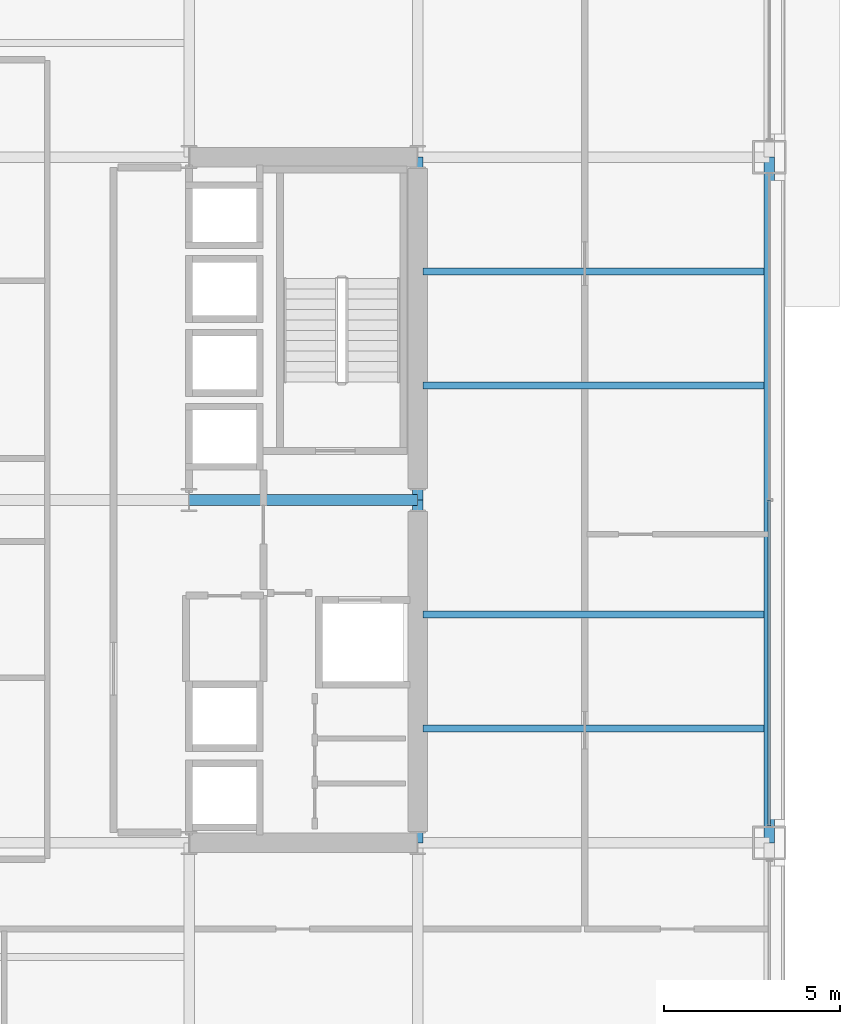
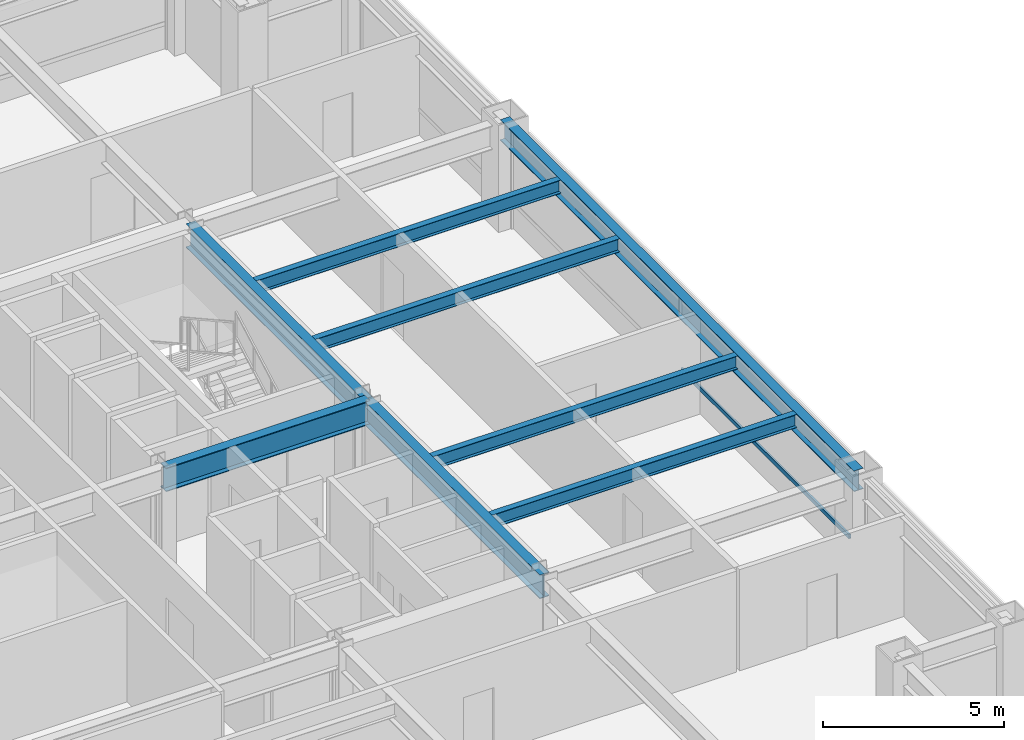
# One storey, part 13 of 28: 8 beams, 1 member, 1 element without a shape of its own.
"""IFC4 building model written with IfcOpenShell, lengths in metres."""

from ifc_helpers import new_model, si_unit, direction, frame, origin, origin_2d, place, context, subcontext, project, spatial, hollow_rectangle, i_section, extrude, material, layer, layer_set, material_profile, profile_set, type_object, element, aggregate, save


model = new_model("IFC4")

# Units and contexts
model_context = context("Model", 3, precision=1e-05, world=origin(), true_north=direction((0.0, 1.0)))
body_context = subcontext(model_context, "Body", "Model", "MODEL_VIEW")
ifc_project = project(units=[si_unit("LENGTHUNIT", "METRE"), si_unit("AREAUNIT", "SQUARE_METRE"), si_unit("VOLUMEUNIT", "CUBIC_METRE"), si_unit("PLANEANGLEUNIT", "RADIAN"), si_unit("MASSUNIT", "GRAM", prefix="KILO")], contexts=[model_context])

# Site, building, storey
site_placement = place(None, origin())
site = spatial("IfcSite", under=ifc_project, at=site_placement, CompositionType="ELEMENT")
building_placement = place(site_placement, origin())
building = spatial("IfcBuilding", under=site, at=building_placement, Name="Brelmoor Portico Tower", CompositionType="ELEMENT")
storey_placement = place(building_placement, frame((0.0, 0.0, 49.199951171875)))
storey = spatial("IfcBuildingStorey", under=building, at=storey_placement, Name="L12", CompositionType="ELEMENT", Elevation=49.199951171875)

# Beams
ifc_material_1 = material(Name="Steel Q355B", Category="steel")
ifc_material_profile_1 = material_profile(ifc_material_1, i_section(OverallWidth=0.199951171875, OverallDepth=0.449951171875, WebThickness=0.009033203125, FlangeThickness=0.013916015625, at=origin_2d()), Name="HN 450x200x9x14")
ifc_profile_set_1 = profile_set([ifc_material_profile_1], Name="Steel Q355B")
beam_type_1 = type_object("IfcBeamType", Name="BM-JS-450", PredefinedType="JOIST", material=ifc_profile_set_1)
for number, where, z_axis, x_axis, name in (
    (1, (14.699951171875, -6.5, 3.175048828125), (1.0, 0.0, 0.0), (0.0, 1.0, 0.0), "L12 Secondary Wing Joist JS-E09"),
    (2, (14.699951171875, -3.25, 3.175048828125), (1.0, 0.0, 0.0), (0.0, 1.0, 0.0), "L12 Secondary Wing Joist JS-E10"),
    (3, (14.699951171875, 3.25, 3.175048828125), (1.0, 0.0, 0.0), (0.0, 1.0, 0.0), "L12 Secondary Wing Joist JS-E11"),
    (4, (14.699951171875, 6.5, 3.175048828125), (1.0, 0.0, 0.0), (0.0, 1.0, 0.0), "L12 Secondary Wing Joist JS-E12"),
):
    element("IfcBeam", number, at=place(storey_placement, frame(where, z_axis=z_axis, x_axis=x_axis)), inside=storey, type_object=beam_type_1, Name=name, PredefinedType="JOIST", context=body_context, shape_type="SweptSolid", body=[
        extrude(i_section(OverallWidth=0.199951171875, OverallDepth=0.449951171875, WebThickness=0.009033203125, FlangeThickness=0.013916015625, at=origin_2d()), origin(), (0.0, 0.0, 1.0), 9.699951171875),
    ])
ifc_material_profile_2 = material_profile(ifc_material_1, i_section(OverallWidth=0.300048828125, OverallDepth=0.800048828125, WebThickness=0.013916015625, FlangeThickness=0.02587890625, at=origin_2d()), Name="HN 800x300x14x26")
ifc_profile_set_2 = profile_set([ifc_material_profile_2], Name="Steel Q355B")
beam_type_2 = type_object("IfcBeamType", Name="BM-PG-800", PredefinedType="BEAM", material=ifc_profile_set_2)
for number, where, z_axis, x_axis, name in (
    (5, (14.550048828125, -9.75, 3.0), (0.0, 1.0, 0.0), (-1.0, 0.0, 0.0), "L12 Primary Floor Girder PG-12"),
    (6, (14.550048828125, 0.0, 3.0), (0.0, 1.0, 0.0), (-1.0, 0.0, 0.0), "L12 Primary Floor Girder PG-13"),
):
    element("IfcBeam", number, at=place(storey_placement, frame(where, z_axis=z_axis, x_axis=x_axis)), inside=storey, type_object=beam_type_2, Name=name, PredefinedType="BEAM", context=body_context, shape_type="SweptSolid", body=[
        extrude(i_section(OverallWidth=0.300048828125, OverallDepth=0.800048828125, WebThickness=0.013916015625, FlangeThickness=0.02587890625, at=origin_2d()), origin(), (0.0, 0.0, 1.0), 9.75),
    ])
beam_1_placement = place(storey_placement, frame((8.050048828125, 0.0, 3.0), z_axis=(1.0, 0.0, 0.0), x_axis=(0.0, 1.0, 0.0)))
element("IfcBeam", 7, at=beam_1_placement, inside=storey, type_object=beam_type_2, Name="L12 Primary Floor Girder PG-26", PredefinedType="BEAM", context=body_context, shape_type="SweptSolid", body=[
    extrude(i_section(OverallWidth=0.300048828125, OverallDepth=0.800048828125, WebThickness=0.013916015625, FlangeThickness=0.02587890625, at=origin_2d()), origin(), (0.0, 0.0, 1.0), 6.5),
])
ifc_material_profile_3 = material_profile(ifc_material_1, i_section(OverallWidth=0.300048828125, OverallDepth=0.699951171875, WebThickness=0.012939453125, FlangeThickness=0.02392578125, at=origin_2d()), Name="HN 700x300x13x24")
ifc_profile_set_3 = profile_set([ifc_material_profile_3], Name="Steel Q355B")
beam_type_3 = type_object("IfcBeamType", Name="BM-SP-700", PredefinedType="SPANDREL", material=ifc_profile_set_3)
beam_2_placement = place(storey_placement, frame((24.550048828125, -9.75, 3.050048828125), z_axis=(0.0, 1.0, 0.0), x_axis=(-1.0, 0.0, 0.0)))
element("IfcBeam", 8, at=beam_2_placement, inside=storey, type_object=beam_type_3, Name="L12 Perimeter Spandrel Beam SP-23", PredefinedType="SPANDREL", context=body_context, shape_type="SweptSolid", body=[
    extrude(i_section(OverallWidth=0.300048828125, OverallDepth=0.699951171875, WebThickness=0.012939453125, FlangeThickness=0.02392578125, at=origin_2d()), origin(), (0.0, 0.0, 1.0), 19.5),
])

# Curtain wall, member
ifc_material_2 = material(Name="Anodised Aluminium Alloy 6063-T6", Category="aluminium")
ifc_layer = layer(ifc_material_2, 0.179931640625)
ifc_layer_set = layer_set([ifc_layer], Name="Anodised Aluminium Alloy 6063-T6")
curtain_wall_type = type_object("IfcCurtainWallType", Name="CW-TOWER-Z1", PredefinedType="NOTDEFINED", material=ifc_layer_set)
curtain_wall_placement = place(storey_placement, origin())
curtain_wall = element("IfcCurtainWall", 9, at=curtain_wall_placement, inside=storey, type_object=curtain_wall_type, Name="L12 Curtain Wall CW-L12-04-2", PredefinedType="NOTDEFINED")
ifc_material_profile_4 = material_profile(ifc_material_2, hollow_rectangle(XDim=0.06494140625, YDim=0.139892578125, WallThickness=0.00390625, at=origin_2d()), Name="ALU TRANSOM 65x140")
ifc_profile_set_4 = profile_set([ifc_material_profile_4], Name="Anodised Aluminium Alloy 6063-T6")
member_type = type_object("IfcMemberType", Name="MB-CW-TRAN-140", PredefinedType="USERDEFINED", material=ifc_profile_set_4)
member_placement = place(storey_placement, frame((24.550048828125, -9.264892578125, 0.85009765625), z_axis=(0.0, 1.0, 0.0), x_axis=(-1.0, 0.0, 0.0)))
member = element("IfcMember", 10, at=member_placement, type_object=member_type, Name="CW-L12-04-2 Transom 1-00", ObjectType="TRANSOM", PredefinedType="USERDEFINED", context=body_context, shape_type="SweptSolid", body=[
    extrude(hollow_rectangle(XDim=0.06494140625, YDim=0.139892578125, WallThickness=0.00390625, at=origin_2d()), origin(), (0.0, 0.0, 1.0), 9.264892578125),
])
aggregate(curtain_wall, [member])

save(model, "model.ifc")
